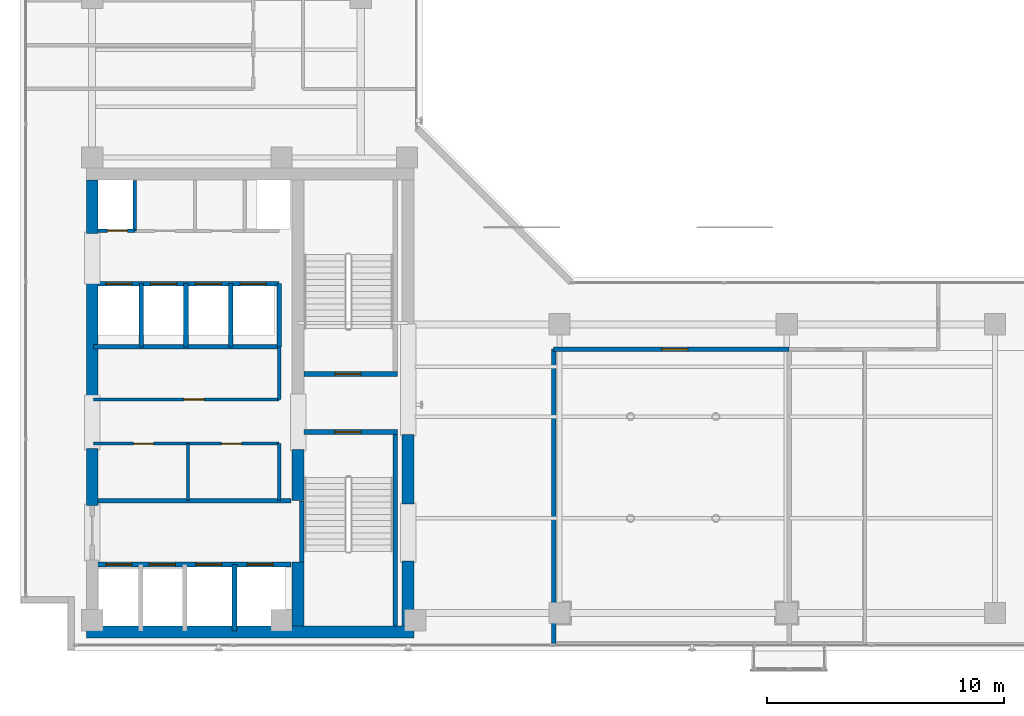
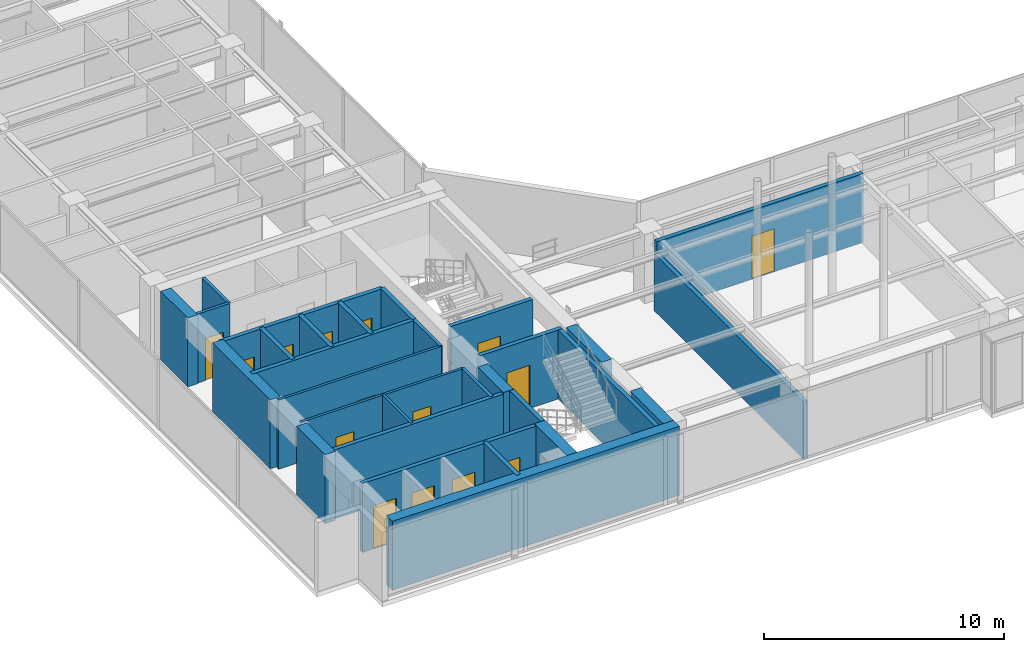
# One storey, part 25 of 32: 30 walls, 15 doors, 15 openings.
"""IFC4 building model written with IfcOpenShell, lengths in metres."""

from ifc_helpers import new_model, si_unit, direction, frame, frame_2d, origin, place, context, subcontext, project, spatial, rectangle, extrude, material, layer, layer_set, type_object, element, fill, save


model = new_model("IFC4")

# Units and contexts
model_context = context("Model", 3, precision=1e-05, world=origin(), true_north=direction((0.0, 1.0)))
body_context = subcontext(model_context, "Body", "Model", "MODEL_VIEW")
ifc_project = project(units=[si_unit("LENGTHUNIT", "METRE"), si_unit("AREAUNIT", "SQUARE_METRE"), si_unit("VOLUMEUNIT", "CUBIC_METRE"), si_unit("PLANEANGLEUNIT", "RADIAN"), si_unit("MASSUNIT", "GRAM", prefix="KILO")], contexts=[model_context])

# Site, building, storey
site_placement = place(None, origin())
site = spatial("IfcSite", under=ifc_project, at=site_placement, CompositionType="ELEMENT")
building_placement = place(site_placement, origin())
building = spatial("IfcBuilding", under=site, at=building_placement, Name="Kolvaren Waterfront Exchange", CompositionType="ELEMENT")
storey_placement = place(building_placement, frame((0.0, 0.0, 348.10009765625)))
storey = spatial("IfcBuildingStorey", under=building, at=storey_placement, Name="L89", CompositionType="ELEMENT", Elevation=348.10009765625)

# Wall, opening, door
ifc_material_1 = material(Name="Precast concrete C40/50", Category="concrete")
ifc_layer_1 = layer(ifc_material_1, 0.199951171875, Name="Precast concrete C40/50")
ifc_layer_set_1 = layer_set([ifc_layer_1], Name="Precast concrete C40/50")
wall_type_1 = type_object("IfcWallType", Name="ARC-FIRE-200", PredefinedType="PARTITIONING", material=ifc_layer_set_1)
wall_1_placement = place(storey_placement, frame((16.39990234375, 12.85009765625, 0.0), z_axis=(0.0, 0.0, 1.0), x_axis=(1.0, 0.0, 0.0)))
wall_1 = element("IfcWall", 1, at=wall_1_placement, inside=storey, type_object=wall_type_1, Name="L89 interior wall PW-L89-ST1-THROAT-S", PredefinedType="PARTITIONING", context=body_context, shape_type="SweptSolid", body=[
    extrude(rectangle(XDim=3.960205078125, YDim=0.199951171875, at=frame_2d((1.97998046875, 0.0))), origin(), (0.0, 0.0, 1.0), 3.52001953125),
])
opening_1_placement = place(wall_1_placement, frame((1.3037109375, 0.0, 0.0)))
opening_1 = element("IfcOpeningElement", 2, at=opening_1_placement, cuts=wall_1, Name="Opening FD2", PredefinedType="OPENING", context=body_context, shape_type="SweptSolid", body=[
    extrude(rectangle(XDim=1.10009765625, YDim=2.199951171875, at=frame_2d((0.550048828125, 1.10009765625))), frame((0.0, 0.10986328125, 0.0), z_axis=(0.0, -1.0, 0.0), x_axis=(1.0, 0.0, 0.0)), (0.0, 0.0, 1.0), 0.219970703125),
])
ifc_material_2 = material(Name="Pressed steel smoke-seal fire door", Category="steel")
door_type_1 = type_object("IfcDoorType", Name="ARC-FD-1100", OperationType="NOTDEFINED", PredefinedType="DOOR", material=ifc_material_2)
door_1_placement = place(opening_1_placement, frame((1.10009765625, 0.0, 0.0), z_axis=(0.0, 0.0, 1.0), x_axis=(-1.0, 0.0, 0.0)))
door_1 = element("IfcDoor", 3, at=door_1_placement, inside=storey, type_object=door_type_1, Name="L89 door DR-L89-ST1-IN (FD2)", OperationType="SINGLE_SWING_RIGHT", OverallHeight=2.199951171875, OverallWidth=1.10009765625, PredefinedType="DOOR", context=body_context, shape_type="SweptSolid", body=[
    extrude(rectangle(XDim=1.10009765625, YDim=2.199951171875, at=frame_2d((0.550048828125, 1.10009765625))), frame((0.0, 0.02490234375, 0.0), z_axis=(0.0, -1.0, 0.0), x_axis=(1.0, 0.0, 0.0)), (0.0, 0.0, 1.0), 0.050048828125),
])
fill(opening_1, door_1)

wall_2_placement = place(storey_placement, frame((16.409912109375, 15.300048828125, 0.0), z_axis=(0.0, 0.0, 1.0), x_axis=(1.0, 0.0, 0.0)))
wall_2 = element("IfcWall", 4, at=wall_2_placement, inside=storey, type_object=wall_type_1, Name="L89 interior wall PW-L89-ST2-THROAT-N", PredefinedType="PARTITIONING", context=body_context, shape_type="SweptSolid", body=[
    extrude(rectangle(XDim=3.9501953125, YDim=0.199951171875, at=frame_2d((1.97509765625, 0.0))), origin(), (0.0, 0.0, 1.0), 3.52001953125),
])
opening_2_placement = place(wall_2_placement, frame((1.293701171875, 0.0, 0.0)))
opening_2 = element("IfcOpeningElement", 5, at=opening_2_placement, cuts=wall_2, Name="Opening FD2", PredefinedType="OPENING", context=body_context, shape_type="SweptSolid", body=[
    extrude(rectangle(XDim=1.10009765625, YDim=2.199951171875, at=frame_2d((0.550048828125, 1.10009765625))), frame((0.0, 0.10986328125, 0.0), z_axis=(0.0, -1.0, 0.0), x_axis=(1.0, 0.0, 0.0)), (0.0, 0.0, 1.0), 0.219970703125),
])
door_2_placement = place(opening_2_placement, origin())
door_2 = element("IfcDoor", 6, at=door_2_placement, inside=storey, type_object=door_type_1, Name="L89 door DR-L89-ST2-IN (FD2)", OperationType="SINGLE_SWING_LEFT", OverallHeight=2.199951171875, OverallWidth=1.10009765625, PredefinedType="DOOR", context=body_context, shape_type="SweptSolid", body=[
    extrude(rectangle(XDim=1.10009765625, YDim=2.199951171875, at=frame_2d((0.550048828125, 1.10009765625))), frame((0.0, 0.02490234375, 0.0), z_axis=(0.0, -1.0, 0.0), x_axis=(1.0, 0.0, 0.0)), (0.0, 0.0, 1.0), 0.050048828125),
])
fill(opening_2, door_2)

# Walls
wall_3_placement = place(storey_placement, frame((7.5, 9.949951171875, 0.0), z_axis=(0.0, 0.0, 1.0), x_axis=(1.0, 0.0, 0.0)))
element("IfcWall", 7, at=wall_3_placement, inside=storey, type_object=wall_type_1, Name="L89 interior wall PW-L89-FF-N", PredefinedType="PARTITIONING", context=body_context, shape_type="SweptSolid", body=[
    extrude(rectangle(XDim=8.35009765625, YDim=0.199951171875, at=frame_2d((4.175048828125, 0.0))), origin(), (0.0, 0.0, 1.0), 3.52001953125),
])
wall_4_placement = place(storey_placement, frame((26.949951171875, 3.85009765625, 0.0), z_axis=(0.0, 0.0, 1.0), x_axis=(0.0, 1.0, 0.0)))
element("IfcWall", 8, at=wall_4_placement, inside=storey, type_object=wall_type_1, Name="L89 interior wall PW-L89-TMD-W", PredefinedType="PARTITIONING", context=body_context, shape_type="SweptSolid", body=[
    extrude(rectangle(XDim=12.5, YDim=0.199951171875, at=frame_2d((6.25, 0.0))), origin(), (0.0, 0.0, 1.0), 2.919921875),
])

# Wall, opening, door
wall_5_placement = place(storey_placement, frame((26.949951171875, 16.35009765625, 0.0), z_axis=(0.0, 0.0, 1.0), x_axis=(1.0, 0.0, 0.0)))
wall_5 = element("IfcWall", 9, at=wall_5_placement, inside=storey, type_object=wall_type_1, Name="L89 interior wall PW-L89-TMD-N", PredefinedType="PARTITIONING", context=body_context, shape_type="SweptSolid", body=[
    extrude(rectangle(XDim=9.949951171875, YDim=0.199951171875, at=frame_2d((4.97509765625, 0.0))), origin(), (0.0, 0.0, 1.0), 3.52001953125),
])
opening_3_placement = place(wall_5_placement, frame((4.570068359375, 0.0, 0.0)))
opening_3 = element("IfcOpeningElement", 10, at=opening_3_placement, cuts=wall_5, Name="Opening FD2", PredefinedType="OPENING", context=body_context, shape_type="SweptSolid", body=[
    extrude(rectangle(XDim=1.10009765625, YDim=2.199951171875, at=frame_2d((0.550048828125, 1.10009765625))), frame((0.0, 0.10986328125, 0.0), z_axis=(0.0, -1.0, 0.0), x_axis=(1.0, 0.0, 0.0)), (0.0, 0.0, 1.0), 0.219970703125),
])
door_3_placement = place(opening_3_placement, origin())
door_3 = element("IfcDoor", 11, at=door_3_placement, inside=storey, type_object=door_type_1, Name="L89 door DR-L89-TMD-D (FD2)", OperationType="SINGLE_SWING_LEFT", OverallHeight=2.199951171875, OverallWidth=1.10009765625, PredefinedType="DOOR", context=body_context, shape_type="SweptSolid", body=[
    extrude(rectangle(XDim=1.10009765625, YDim=2.199951171875, at=frame_2d((0.550048828125, 1.10009765625))), frame((0.0, 0.02490234375, 0.0), z_axis=(0.0, -1.0, 0.0), x_axis=(1.0, 0.0, 0.0)), (0.0, 0.0, 1.0), 0.050048828125),
])
fill(opening_3, door_3)

# Wall, openings, doors
ifc_material_3 = material(Name="Acoustic gypsum steel stud", Category="steel")
ifc_layer_2 = layer(ifc_material_3, 0.125, Name="Acoustic gypsum steel stud")
ifc_layer_set_2 = layer_set([ifc_layer_2], Name="Acoustic gypsum steel stud")
wall_type_2 = type_object("IfcWallType", Name="ARC-PART-125", PredefinedType="PARTITIONING", material=ifc_layer_set_2)
wall_6_placement = place(storey_placement, frame((7.5, 12.360107421875, 0.0), z_axis=(0.0, 0.0, 1.0), x_axis=(1.0, 0.0, 0.0)))
wall_6 = element("IfcWall", 12, at=wall_6_placement, inside=storey, type_object=wall_type_2, Name="L89 interior wall PW-L89-REC-HI-S", PredefinedType="PARTITIONING", context=body_context, shape_type="SweptSolid", body=[
    extrude(rectangle(XDim=7.85009765625, YDim=0.125, at=frame_2d((3.925048828125, 0.0))), origin(), (0.0, 0.0, 1.0), 3.52001953125),
])
opening_4_placement = place(wall_6_placement, frame((1.699951171875, 0.0, 0.0)))
opening_4 = element("IfcOpeningElement", 13, at=opening_4_placement, cuts=wall_6, Name="Opening D01", PredefinedType="OPENING", context=body_context, shape_type="SweptSolid", body=[
    extrude(rectangle(XDim=0.85009765625, YDim=2.14990234375, at=frame_2d((0.425048828125, 1.074951171875))), frame((0.0, 0.072509765625, 0.0), z_axis=(0.0, -1.0, 0.0), x_axis=(1.0, 0.0, 0.0)), (0.0, 0.0, 1.0), 0.14501953125),
])
opening_5_placement = place(wall_6_placement, frame((5.41259765625, 0.0, 0.0)))
opening_5 = element("IfcOpeningElement", 14, at=opening_5_placement, cuts=wall_6, Name="Opening D01", PredefinedType="OPENING", context=body_context, shape_type="SweptSolid", body=[
    extrude(rectangle(XDim=0.85009765625, YDim=2.14990234375, at=frame_2d((0.425048828125, 1.074951171875))), frame((0.0, 0.072509765625, 0.0), z_axis=(0.0, -1.0, 0.0), x_axis=(1.0, 0.0, 0.0)), (0.0, 0.0, 1.0), 0.14501953125),
])
ifc_material_4 = material(Name="Oak veneer timber leaf", Category="wood")
door_type_2 = type_object("IfcDoorType", Name="ARC-DR-900", OperationType="NOTDEFINED", PredefinedType="DOOR", material=ifc_material_4)
door_4_placement = place(opening_4_placement, origin())
door_4 = element("IfcDoor", 15, at=door_4_placement, inside=storey, type_object=door_type_2, Name="L89 door DR-L89-REC-HI-D1 (D01)", OperationType="SINGLE_SWING_LEFT", OverallHeight=2.14990234375, OverallWidth=0.85009765625, PredefinedType="DOOR", context=body_context, shape_type="SweptSolid", body=[
    extrude(rectangle(XDim=0.85009765625, YDim=2.14990234375, at=frame_2d((0.425048828125, 1.074951171875))), frame((0.0, 0.02490234375, 0.0), z_axis=(0.0, -1.0, 0.0), x_axis=(1.0, 0.0, 0.0)), (0.0, 0.0, 1.0), 0.050048828125),
])
fill(opening_4, door_4)
door_5_placement = place(opening_5_placement, origin())
door_5 = element("IfcDoor", 16, at=door_5_placement, inside=storey, type_object=door_type_2, Name="L89 door DR-L89-REC-HI-D2 (D01)", OperationType="SINGLE_SWING_RIGHT", OverallHeight=2.14990234375, OverallWidth=0.85009765625, PredefinedType="DOOR", context=body_context, shape_type="SweptSolid", body=[
    extrude(rectangle(XDim=0.85009765625, YDim=2.14990234375, at=frame_2d((0.425048828125, 1.074951171875))), frame((0.0, 0.02490234375, 0.0), z_axis=(0.0, -1.0, 0.0), x_axis=(1.0, 0.0, 0.0)), (0.0, 0.0, 1.0), 0.050048828125),
])
fill(opening_5, door_5)

# Wall, opening, door
wall_7_placement = place(storey_placement, frame((7.5, 14.219970703125, 0.0), z_axis=(0.0, 0.0, 1.0), x_axis=(1.0, 0.0, 0.0)))
wall_7 = element("IfcWall", 17, at=wall_7_placement, inside=storey, type_object=wall_type_2, Name="L89 interior wall PW-L89-REC-HI-N", PredefinedType="PARTITIONING", context=body_context, shape_type="SweptSolid", body=[
    extrude(rectangle(XDim=7.85009765625, YDim=0.125, at=frame_2d((3.925048828125, 0.0))), origin(), (0.0, 0.0, 1.0), 3.52001953125),
])
opening_6_placement = place(wall_7_placement, frame((3.824951171875, 0.0, 0.0)))
opening_6 = element("IfcOpeningElement", 18, at=opening_6_placement, cuts=wall_7, Name="Opening D01", PredefinedType="OPENING", context=body_context, shape_type="SweptSolid", body=[
    extrude(rectangle(XDim=0.85009765625, YDim=2.14990234375, at=frame_2d((0.425048828125, 1.074951171875))), frame((0.0, 0.072509765625, 0.0), z_axis=(0.0, -1.0, 0.0), x_axis=(1.0, 0.0, 0.0)), (0.0, 0.0, 1.0), 0.14501953125),
])
door_6_placement = place(opening_6_placement, origin())
door_6 = element("IfcDoor", 19, at=door_6_placement, inside=storey, type_object=door_type_2, Name="L89 door DR-L89-REC-HI-D3 (D01)", OperationType="SINGLE_SWING_LEFT", OverallHeight=2.14990234375, OverallWidth=0.85009765625, PredefinedType="DOOR", context=body_context, shape_type="SweptSolid", body=[
    extrude(rectangle(XDim=0.85009765625, YDim=2.14990234375, at=frame_2d((0.425048828125, 1.074951171875))), frame((0.0, 0.02490234375, 0.0), z_axis=(0.0, -1.0, 0.0), x_axis=(1.0, 0.0, 0.0)), (0.0, 0.0, 1.0), 0.050048828125),
])
fill(opening_6, door_6)

# Walls
wall_8_placement = place(storey_placement, frame((11.5, 9.949951171875, 0.0), z_axis=(0.0, 0.0, 1.0), x_axis=(0.0, 1.0, 0.0)))
element("IfcWall", 20, at=wall_8_placement, inside=storey, type_object=wall_type_2, Name="L89 interior wall PW-L89-REC-HI-MS1", PredefinedType="PARTITIONING", context=body_context, shape_type="SweptSolid", body=[
    extrude(rectangle(XDim=2.41015625, YDim=0.125, at=frame_2d((1.205078125, 0.0))), origin(), (0.0, 0.0, 1.0), 3.52001953125),
])
ifc_material_5 = material(Name="Gypsum fireboard steel stud", Category="steel")
ifc_layer_3 = layer(ifc_material_5, 0.14990234375, Name="Gypsum fireboard steel stud")
ifc_layer_set_3 = layer_set([ifc_layer_3], Name="Gypsum fireboard steel stud")
wall_type_3 = type_object("IfcWallType", Name="ARC-PART-150", PredefinedType="PARTITIONING", material=ifc_layer_set_3)
wall_9_placement = place(storey_placement, frame((15.35009765625, 9.949951171875, 0.0), z_axis=(0.0, 0.0, 1.0), x_axis=(0.0, 1.0, 0.0)))
element("IfcWall", 21, at=wall_9_placement, inside=storey, type_object=wall_type_3, Name="L89 interior wall PW-L89-REC-HI-E1", PredefinedType="PARTITIONING", context=body_context, shape_type="SweptSolid", body=[
    extrude(rectangle(XDim=2.41015625, YDim=0.14990234375, at=frame_2d((1.205078125, 0.0))), origin(), (0.0, 0.0, 1.0), 3.52001953125),
])
wall_10_placement = place(storey_placement, frame((15.35009765625, 14.219970703125, 0.0), z_axis=(0.0, 0.0, 1.0), x_axis=(0.0, 1.0, 0.0)))
element("IfcWall", 22, at=wall_10_placement, inside=storey, type_object=wall_type_3, Name="L89 interior wall PW-L89-REC-HI-E2", PredefinedType="PARTITIONING", context=body_context, shape_type="SweptSolid", body=[
    extrude(rectangle(XDim=2.22998046875, YDim=0.14990234375, at=frame_2d((1.114990234375, 0.0))), origin(), (0.0, 0.0, 1.0), 3.52001953125),
])
wall_11_placement = place(storey_placement, frame((9.25, 21.35009765625, 0.0), z_axis=(0.0, 0.0, 1.0), x_axis=(0.0, 1.0, 0.0)))
element("IfcWall", 23, at=wall_11_placement, inside=storey, type_object=wall_type_3, Name="L89 interior wall PW-L89-SVC-R1", PredefinedType="PARTITIONING", context=body_context, shape_type="SweptSolid", body=[
    extrude(rectangle(XDim=2.1298828125, YDim=0.14990234375, at=frame_2d((1.06494140625, 0.0))), origin(), (0.0, 0.0, 1.0), 3.52001953125),
])

# Wall, opening, door
wall_12_placement = place(storey_placement, frame((7.699951171875, 21.35009765625, 0.0), z_axis=(0.0, 0.0, 1.0), x_axis=(1.0, 0.0, 0.0)))
wall_12 = element("IfcWall", 24, at=wall_12_placement, inside=storey, type_object=wall_type_3, Name="L89 interior wall PW-L89-SVC-RE-S", PredefinedType="PARTITIONING", context=body_context, shape_type="SweptSolid", body=[
    extrude(rectangle(XDim=1.550048828125, YDim=0.14990234375, at=frame_2d((0.77490234375, 0.0))), origin(), (0.0, 0.0, 1.0), 3.52001953125),
])
opening_7_placement = place(wall_12_placement, frame((0.389892578125, 0.0, 0.0)))
opening_7 = element("IfcOpeningElement", 25, at=opening_7_placement, cuts=wall_12, Name="Opening FD1", PredefinedType="OPENING", context=body_context, shape_type="SweptSolid", body=[
    extrude(rectangle(XDim=0.85009765625, YDim=2.14990234375, at=frame_2d((0.425048828125, 1.074951171875))), frame((0.0, 0.0849609375, 0.0), z_axis=(0.0, -1.0, 0.0), x_axis=(1.0, 0.0, 0.0)), (0.0, 0.0, 1.0), 0.169921875),
])
ifc_material_6 = material(Name="Pressed steel fire leaf", Category="steel")
door_type_3 = type_object("IfcDoorType", Name="ARC-FD-900", OperationType="NOTDEFINED", PredefinedType="DOOR", material=ifc_material_6)
door_7_placement = place(opening_7_placement, origin())
door_7 = element("IfcDoor", 26, at=door_7_placement, inside=storey, type_object=door_type_3, Name="L89 door DR-L89-RISER-E-DR (FD1)", OperationType="SINGLE_SWING_RIGHT", OverallHeight=2.14990234375, OverallWidth=0.85009765625, PredefinedType="DOOR", context=body_context, shape_type="SweptSolid", body=[
    extrude(rectangle(XDim=0.85009765625, YDim=2.14990234375, at=frame_2d((0.425048828125, 1.074951171875))), frame((0.0, 0.02490234375, 0.0), z_axis=(0.0, -1.0, 0.0), x_axis=(1.0, 0.0, 0.0)), (0.0, 0.0, 1.0), 0.050048828125),
])
fill(opening_7, door_7)

# Walls
ifc_material_7 = material(Name="Concrete C40/50", Category="concrete")
ifc_layer_4 = layer(ifc_material_7, 0.199951171875, Name="Concrete C40/50")
ifc_layer_set_4 = layer_set([ifc_layer_4], Name="Concrete C40/50")
wall_type_4 = type_object("IfcWallType", Name="ARC-SHAFT-200", PredefinedType="PARTITIONING", material=ifc_layer_set_4)
wall_13_placement = place(storey_placement, frame((16.300048828125, 7.360107421875, 0.0), z_axis=(0.0, 0.0, 1.0), x_axis=(0.0, 1.0, 0.0)))
element("IfcWall", 27, at=wall_13_placement, inside=storey, type_object=wall_type_4, Name="L89 structural stairwell wall PW-L89-ST1-W", PredefinedType="SHEAR", context=body_context, shape_type="SweptSolid", body=[
    extrude(rectangle(XDim=2.579833984375, YDim=0.199951171875, at=frame_2d((1.2900390625, 0.0))), origin(), (0.0, 0.0, 1.0), 3.52001953125),
])
wall_14_placement = place(storey_placement, frame((20.260009765625, 4.659912109375, 0.0), z_axis=(0.0, 0.0, 1.0), x_axis=(0.0, 1.0, 0.0)))
element("IfcWall", 28, at=wall_14_placement, inside=storey, type_object=wall_type_4, Name="L89 structural stairwell wall PW-L89-ST1-E", PredefinedType="SHEAR", context=body_context, shape_type="SweptSolid", body=[
    extrude(rectangle(XDim=8.090087890625, YDim=0.199951171875, at=frame_2d((4.044921875, 0.0))), origin(), (0.0, 0.0, 1.0), 3.52001953125),
])

# Wall, openings, doors
wall_15_placement = place(storey_placement, frame((7.5, 7.25, 0.0), z_axis=(0.0, 0.0, 1.0), x_axis=(1.0, 0.0, 0.0)))
wall_15 = element("IfcWall", 29, at=wall_15_placement, inside=storey, type_object=wall_type_4, Name="L89 interior wall PW-L89-FF-S", PredefinedType="PARTITIONING", context=body_context, shape_type="SweptSolid", body=[
    extrude(rectangle(XDim=8.35009765625, YDim=0.199951171875, at=frame_2d((4.175048828125, 0.0))), origin(), (0.0, 0.0, 1.0), 3.52001953125),
])
opening_8_placement = place(wall_15_placement, frame((0.530029296875, 0.0, 0.0)))
opening_8 = element("IfcOpeningElement", 30, at=opening_8_placement, cuts=wall_15, Name="Opening LD1", PredefinedType="OPENING", context=body_context, shape_type="SweptSolid", body=[
    extrude(rectangle(XDim=1.10009765625, YDim=2.199951171875, at=frame_2d((0.550048828125, 1.10009765625))), frame((0.0, 0.10986328125, 0.0), z_axis=(0.0, -1.0, 0.0), x_axis=(1.0, 0.0, 0.0)), (0.0, 0.0, 1.0), 0.219970703125),
])
opening_9_placement = place(wall_15_placement, frame((2.3701171875, 0.0, 0.0)))
opening_9 = element("IfcOpeningElement", 31, at=opening_9_placement, cuts=wall_15, Name="Opening LD1", PredefinedType="OPENING", context=body_context, shape_type="SweptSolid", body=[
    extrude(rectangle(XDim=1.10009765625, YDim=2.199951171875, at=frame_2d((0.550048828125, 1.10009765625))), frame((0.0, 0.10986328125, 0.0), z_axis=(0.0, -1.0, 0.0), x_axis=(1.0, 0.0, 0.0)), (0.0, 0.0, 1.0), 0.219970703125),
])
opening_10_placement = place(wall_15_placement, frame((4.330078125, 0.0, 0.0)))
opening_10 = element("IfcOpeningElement", 32, at=opening_10_placement, cuts=wall_15, Name="Opening LD1", PredefinedType="OPENING", context=body_context, shape_type="SweptSolid", body=[
    extrude(rectangle(XDim=1.10009765625, YDim=2.199951171875, at=frame_2d((0.550048828125, 1.10009765625))), frame((0.0, 0.10986328125, 0.0), z_axis=(0.0, -1.0, 0.0), x_axis=(1.0, 0.0, 0.0)), (0.0, 0.0, 1.0), 0.219970703125),
])
opening_11_placement = place(wall_15_placement, frame((6.5, 0.0, 0.0)))
opening_11 = element("IfcOpeningElement", 33, at=opening_11_placement, cuts=wall_15, Name="Opening LD1", PredefinedType="OPENING", context=body_context, shape_type="SweptSolid", body=[
    extrude(rectangle(XDim=1.10009765625, YDim=2.199951171875, at=frame_2d((0.550048828125, 1.10009765625))), frame((0.0, 0.10986328125, 0.0), z_axis=(0.0, -1.0, 0.0), x_axis=(1.0, 0.0, 0.0)), (0.0, 0.0, 1.0), 0.219970703125),
])
ifc_material_8 = material(Name="Stainless steel sliding landing door", Category="steel")
door_type_4 = type_object("IfcDoorType", Name="ARC-LD-FF", OperationType="SLIDING_TO_LEFT", PredefinedType="DOOR", material=ifc_material_8)
door_8_placement = place(opening_8_placement, origin())
door_8 = element("IfcDoor", 34, at=door_8_placement, inside=storey, type_object=door_type_4, Name="L89 door LD-L89-FFL1 (LD1)", OperationType="SLIDING_TO_LEFT", OverallHeight=2.199951171875, OverallWidth=1.10009765625, PredefinedType="DOOR", context=body_context, shape_type="SweptSolid", body=[
    extrude(rectangle(XDim=1.10009765625, YDim=2.199951171875, at=frame_2d((0.550048828125, 1.10009765625))), frame((0.0, 0.02490234375, 0.0), z_axis=(0.0, -1.0, 0.0), x_axis=(1.0, 0.0, 0.0)), (0.0, 0.0, 1.0), 0.050048828125),
])
fill(opening_8, door_8)
door_9_placement = place(opening_9_placement, origin())
door_9 = element("IfcDoor", 35, at=door_9_placement, inside=storey, type_object=door_type_4, Name="L89 door LD-L89-FFL2 (LD1)", OperationType="SLIDING_TO_LEFT", OverallHeight=2.199951171875, OverallWidth=1.10009765625, PredefinedType="DOOR", context=body_context, shape_type="SweptSolid", body=[
    extrude(rectangle(XDim=1.10009765625, YDim=2.199951171875, at=frame_2d((0.550048828125, 1.10009765625))), frame((0.0, 0.02490234375, 0.0), z_axis=(0.0, -1.0, 0.0), x_axis=(1.0, 0.0, 0.0)), (0.0, 0.0, 1.0), 0.050048828125),
])
fill(opening_9, door_9)
door_10_placement = place(opening_10_placement, origin())
door_10 = element("IfcDoor", 36, at=door_10_placement, inside=storey, type_object=door_type_4, Name="L89 door LD-L89-GL1 (LD1)", OperationType="SLIDING_TO_LEFT", OverallHeight=2.199951171875, OverallWidth=1.10009765625, PredefinedType="DOOR", context=body_context, shape_type="SweptSolid", body=[
    extrude(rectangle(XDim=1.10009765625, YDim=2.199951171875, at=frame_2d((0.550048828125, 1.10009765625))), frame((0.0, 0.02490234375, 0.0), z_axis=(0.0, -1.0, 0.0), x_axis=(1.0, 0.0, 0.0)), (0.0, 0.0, 1.0), 0.050048828125),
])
fill(opening_10, door_10)
door_11_placement = place(opening_11_placement, origin())
door_11 = element("IfcDoor", 37, at=door_11_placement, inside=storey, type_object=door_type_4, Name="L89 door LD-L89-GL2 (LD1)", OperationType="SLIDING_TO_LEFT", OverallHeight=2.199951171875, OverallWidth=1.10009765625, PredefinedType="DOOR", context=body_context, shape_type="SweptSolid", body=[
    extrude(rectangle(XDim=1.10009765625, YDim=2.199951171875, at=frame_2d((0.550048828125, 1.10009765625))), frame((0.0, 0.02490234375, 0.0), z_axis=(0.0, -1.0, 0.0), x_axis=(1.0, 0.0, 0.0)), (0.0, 0.0, 1.0), 0.050048828125),
])
fill(opening_11, door_11)

# Walls
wall_16_placement = place(storey_placement, frame((13.4599609375, 4.449951171875, 0.0), z_axis=(0.0, 0.0, 1.0), x_axis=(0.0, 1.0, 0.0)))
element("IfcWall", 38, at=wall_16_placement, inside=storey, type_object=wall_type_4, Name="L89 interior wall PW-L89-SH1-DIV-134", PredefinedType="PARTITIONING", context=body_context, shape_type="SweptSolid", body=[
    extrude(rectangle(XDim=2.800048828125, YDim=0.199951171875, at=frame_2d((1.39990234375, 0.0))), origin(), (0.0, 0.0, 1.0), 3.52001953125),
])
wall_17_placement = place(storey_placement, frame((7.5, 16.449951171875, 0.0), z_axis=(0.0, 0.0, 1.0), x_axis=(1.0, 0.0, 0.0)))
element("IfcWall", 39, at=wall_17_placement, inside=storey, type_object=wall_type_4, Name="L89 interior wall PW-L89-REC-PM-N", PredefinedType="PARTITIONING", context=body_context, shape_type="SweptSolid", body=[
    extrude(rectangle(XDim=7.85009765625, YDim=0.199951171875, at=frame_2d((3.925048828125, 0.0))), origin(), (0.0, 0.0, 1.0), 3.52001953125),
])

# Wall, openings, doors
wall_18_placement = place(storey_placement, frame((7.5, 19.1201171875, 0.0), z_axis=(0.0, 0.0, 1.0), x_axis=(1.0, 0.0, 0.0)))
wall_18 = element("IfcWall", 40, at=wall_18_placement, inside=storey, type_object=wall_type_4, Name="L89 interior wall PW-L89-PH-N", PredefinedType="PARTITIONING", context=body_context, shape_type="SweptSolid", body=[
    extrude(rectangle(XDim=7.85009765625, YDim=0.199951171875, at=frame_2d((3.925048828125, 0.0))), origin(), (0.0, 0.0, 1.0), 3.52001953125),
])
opening_12_placement = place(wall_18_placement, frame((0.530029296875, 0.0, 0.0)))
opening_12 = element("IfcOpeningElement", 41, at=opening_12_placement, cuts=wall_18, Name="Opening LD2", PredefinedType="OPENING", context=body_context, shape_type="SweptSolid", body=[
    extrude(rectangle(XDim=1.10009765625, YDim=2.199951171875, at=frame_2d((0.550048828125, 1.10009765625))), frame((0.0, 0.10986328125, 0.0), z_axis=(0.0, -1.0, 0.0), x_axis=(1.0, 0.0, 0.0)), (0.0, 0.0, 1.0), 0.219970703125),
])
opening_13_placement = place(wall_18_placement, frame((2.419921875, 0.0, 0.0)))
opening_13 = element("IfcOpeningElement", 42, at=opening_13_placement, cuts=wall_18, Name="Opening LD2", PredefinedType="OPENING", context=body_context, shape_type="SweptSolid", body=[
    extrude(rectangle(XDim=1.10009765625, YDim=2.199951171875, at=frame_2d((0.550048828125, 1.10009765625))), frame((0.0, 0.10986328125, 0.0), z_axis=(0.0, -1.0, 0.0), x_axis=(1.0, 0.0, 0.0)), (0.0, 0.0, 1.0), 0.219970703125),
])
opening_14_placement = place(wall_18_placement, frame((4.31005859375, 0.0, 0.0)))
opening_14 = element("IfcOpeningElement", 43, at=opening_14_placement, cuts=wall_18, Name="Opening LD2", PredefinedType="OPENING", context=body_context, shape_type="SweptSolid", body=[
    extrude(rectangle(XDim=1.10009765625, YDim=2.199951171875, at=frame_2d((0.550048828125, 1.10009765625))), frame((0.0, 0.10986328125, 0.0), z_axis=(0.0, -1.0, 0.0), x_axis=(1.0, 0.0, 0.0)), (0.0, 0.0, 1.0), 0.219970703125),
])
opening_15_placement = place(wall_18_placement, frame((6.199951171875, 0.0, 0.0)))
opening_15 = element("IfcOpeningElement", 44, at=opening_15_placement, cuts=wall_18, Name="Opening LD2", PredefinedType="OPENING", context=body_context, shape_type="SweptSolid", body=[
    extrude(rectangle(XDim=1.10009765625, YDim=2.199951171875, at=frame_2d((0.550048828125, 1.10009765625))), frame((0.0, 0.10986328125, 0.0), z_axis=(0.0, -1.0, 0.0), x_axis=(1.0, 0.0, 0.0)), (0.0, 0.0, 1.0), 0.219970703125),
])
ifc_material_9 = material(Name="Brushed bronze sliding landing door", Category="aluminium")
door_type_5 = type_object("IfcDoorType", Name="ARC-LD-PAX", OperationType="SLIDING_TO_LEFT", PredefinedType="DOOR", material=ifc_material_9)
door_12_placement = place(opening_12_placement, origin())
door_12 = element("IfcDoor", 45, at=door_12_placement, inside=storey, type_object=door_type_5, Name="L89 door LD-L89-PH1 (LD2)", OperationType="SLIDING_TO_LEFT", OverallHeight=2.199951171875, OverallWidth=1.10009765625, PredefinedType="DOOR", context=body_context, shape_type="SweptSolid", body=[
    extrude(rectangle(XDim=1.10009765625, YDim=2.199951171875, at=frame_2d((0.550048828125, 1.10009765625))), frame((0.0, 0.02490234375, 0.0), z_axis=(0.0, -1.0, 0.0), x_axis=(1.0, 0.0, 0.0)), (0.0, 0.0, 1.0), 0.050048828125),
])
fill(opening_12, door_12)
door_13_placement = place(opening_13_placement, origin())
door_13 = element("IfcDoor", 46, at=door_13_placement, inside=storey, type_object=door_type_5, Name="L89 door LD-L89-PH2 (LD2)", OperationType="SLIDING_TO_LEFT", OverallHeight=2.199951171875, OverallWidth=1.10009765625, PredefinedType="DOOR", context=body_context, shape_type="SweptSolid", body=[
    extrude(rectangle(XDim=1.10009765625, YDim=2.199951171875, at=frame_2d((0.550048828125, 1.10009765625))), frame((0.0, 0.02490234375, 0.0), z_axis=(0.0, -1.0, 0.0), x_axis=(1.0, 0.0, 0.0)), (0.0, 0.0, 1.0), 0.050048828125),
])
fill(opening_13, door_13)
door_14_placement = place(opening_14_placement, origin())
door_14 = element("IfcDoor", 47, at=door_14_placement, inside=storey, type_object=door_type_5, Name="L89 door LD-L89-PH3 (LD2)", OperationType="SLIDING_TO_LEFT", OverallHeight=2.199951171875, OverallWidth=1.10009765625, PredefinedType="DOOR", context=body_context, shape_type="SweptSolid", body=[
    extrude(rectangle(XDim=1.10009765625, YDim=2.199951171875, at=frame_2d((0.550048828125, 1.10009765625))), frame((0.0, 0.02490234375, 0.0), z_axis=(0.0, -1.0, 0.0), x_axis=(1.0, 0.0, 0.0)), (0.0, 0.0, 1.0), 0.050048828125),
])
fill(opening_14, door_14)
door_15_placement = place(opening_15_placement, origin())
door_15 = element("IfcDoor", 48, at=door_15_placement, inside=storey, type_object=door_type_5, Name="L89 door LD-L89-PH4 (LD2)", OperationType="SLIDING_TO_LEFT", OverallHeight=2.199951171875, OverallWidth=1.10009765625, PredefinedType="DOOR", context=body_context, shape_type="SweptSolid", body=[
    extrude(rectangle(XDim=1.10009765625, YDim=2.199951171875, at=frame_2d((0.550048828125, 1.10009765625))), frame((0.0, 0.02490234375, 0.0), z_axis=(0.0, -1.0, 0.0), x_axis=(1.0, 0.0, 0.0)), (0.0, 0.0, 1.0), 0.050048828125),
])
fill(opening_15, door_15)

# Walls
for number, where, z_axis, x_axis, name in (
    (49, (15.35009765625, 16.449951171875, 0.0), (0.0, 0.0, 1.0), (0.0, 1.0, 0.0), "L89 interior wall PW-L89-PH-E"),
    (50, (9.52001953125, 16.449951171875, 0.0), (0.0, 0.0, 1.0), (0.0, 1.0, 0.0), "L89 interior wall PW-L89-SH4-DIV-95"),
    (51, (11.409912109375, 16.449951171875, 0.0), (0.0, 0.0, 1.0), (0.0, 1.0, 0.0), "L89 interior wall PW-L89-SH4-DIV-114"),
    (52, (13.300048828125, 16.449951171875, 0.0), (0.0, 0.0, 1.0), (0.0, 1.0, 0.0), "L89 interior wall PW-L89-SH4-DIV-133"),
):
    element("IfcWall", number, at=place(storey_placement, frame(where, z_axis=z_axis, x_axis=x_axis)), inside=storey, type_object=wall_type_4, Name=name, PredefinedType="PARTITIONING", context=body_context, shape_type="SweptSolid", body=[
        extrude(rectangle(XDim=2.670166015625, YDim=0.199951171875, at=frame_2d((1.3349609375, 0.0))), origin(), (0.0, 0.0, 1.0), 3.52001953125),
    ])
ifc_material_10 = material(Name="Concrete C50/60", Category="concrete")
ifc_layer_5 = layer(ifc_material_10, 0.5, Name="Concrete C50/60")
ifc_layer_set_5 = layer_set([ifc_layer_5], Name="Concrete C50/60")
wall_type_5 = type_object("IfcWallType", Name="STR-CWALL-500", PredefinedType="SHEAR", material=ifc_layer_set_5)
wall_19_placement = place(storey_placement, frame((7.199951171875, 4.39990234375, 0.0), z_axis=(0.0, 0.0, 1.0), x_axis=(1.0, 0.0, 0.0)))
element("IfcWall", 53, at=wall_19_placement, inside=storey, type_object=wall_type_5, Name="L89 rear-core shear wall S", PredefinedType="SHEAR", context=body_context, shape_type="SweptSolid", body=[
    extrude(rectangle(XDim=13.85009765625, YDim=0.5, at=frame_2d((6.925048828125, 0.0))), origin(), (0.0, 0.0, 1.0), 3.52001953125),
])
wall_20_placement = place(storey_placement, frame((7.449951171875, 9.75, 0.0), z_axis=(0.0, 0.0, 1.0), x_axis=(0.0, 1.0, 0.0)))
element("IfcWall", 54, at=wall_20_placement, inside=storey, type_object=wall_type_5, Name="L89 rear-core shear wall W2A", PredefinedType="SHEAR", context=body_context, shape_type="SweptSolid", body=[
    extrude(rectangle(XDim=2.39990234375, YDim=0.5, at=frame_2d((1.199951171875, 0.0))), origin(), (0.0, 0.0, 1.0), 3.52001953125),
])
wall_21_placement = place(storey_placement, frame((7.449951171875, 14.35009765625, 0.0), z_axis=(0.0, 0.0, 1.0), x_axis=(0.0, 1.0, 0.0)))
element("IfcWall", 55, at=wall_21_placement, inside=storey, type_object=wall_type_5, Name="L89 rear-core shear wall W2B", PredefinedType="SHEAR", context=body_context, shape_type="SweptSolid", body=[
    extrude(rectangle(XDim=4.809814453125, YDim=0.5, at=frame_2d((2.40478515625, 0.0))), origin(), (0.0, 0.0, 1.0), 3.52001953125),
])
wall_22_placement = place(storey_placement, frame((7.449951171875, 21.239990234375, 0.0), z_axis=(0.0, 0.0, 1.0), x_axis=(0.0, 1.0, 0.0)))
element("IfcWall", 56, at=wall_22_placement, inside=storey, type_object=wall_type_5, Name="L89 rear-core shear wall W3", PredefinedType="SHEAR", context=body_context, shape_type="SweptSolid", body=[
    extrude(rectangle(XDim=2.260009765625, YDim=0.5, at=frame_2d((1.1298828125, 0.0))), origin(), (0.0, 0.0, 1.0), 3.52001953125),
])
wall_23_placement = place(storey_placement, frame((20.800048828125, 4.64990234375, 0.0), z_axis=(0.0, 0.0, 1.0), x_axis=(0.0, 1.0, 0.0)))
element("IfcWall", 57, at=wall_23_placement, inside=storey, type_object=wall_type_5, Name="L89 rear-core shear wall E1", PredefinedType="SHEAR", context=body_context, shape_type="SweptSolid", body=[
    extrude(rectangle(XDim=2.75, YDim=0.5, at=frame_2d((1.375, 0.0))), origin(), (0.0, 0.0, 1.0), 3.52001953125),
])
wall_24_placement = place(storey_placement, frame((20.800048828125, 9.800048828125, 0.0), z_axis=(0.0, 0.0, 1.0), x_axis=(0.0, 1.0, 0.0)))
element("IfcWall", 58, at=wall_24_placement, inside=storey, type_object=wall_type_5, Name="L89 rear-core shear wall E2", PredefinedType="SHEAR", context=body_context, shape_type="SweptSolid", body=[
    extrude(rectangle(XDim=2.949951171875, YDim=0.5, at=frame_2d((1.47509765625, 0.0))), origin(), (0.0, 0.0, 1.0), 3.52001953125),
])
wall_25_placement = place(storey_placement, frame((16.14990234375, 4.64990234375, 0.0), z_axis=(0.0, 0.0, 1.0), x_axis=(0.0, 1.0, 0.0)))
element("IfcWall", 59, at=wall_25_placement, inside=storey, type_object=wall_type_5, Name="L89 rear-core shear wall M1", PredefinedType="SHEAR", context=body_context, shape_type="SweptSolid", body=[
    extrude(rectangle(XDim=2.7001953125, YDim=0.5, at=frame_2d((1.35009765625, 0.0))), origin(), (0.0, 0.0, 1.0), 3.52001953125),
])
wall_26_placement = place(storey_placement, frame((16.14990234375, 9.949951171875, 0.0), z_axis=(0.0, 0.0, 1.0), x_axis=(0.0, 1.0, 0.0)))
element("IfcWall", 60, at=wall_26_placement, inside=storey, type_object=wall_type_5, Name="L89 rear-core shear wall M2", PredefinedType="SHEAR", context=body_context, shape_type="SweptSolid", body=[
    extrude(rectangle(XDim=2.150146484375, YDim=0.5, at=frame_2d((1.0751953125, 0.0))), origin(), (0.0, 0.0, 1.0), 3.52001953125),
])

save(model, "model.ifc")
